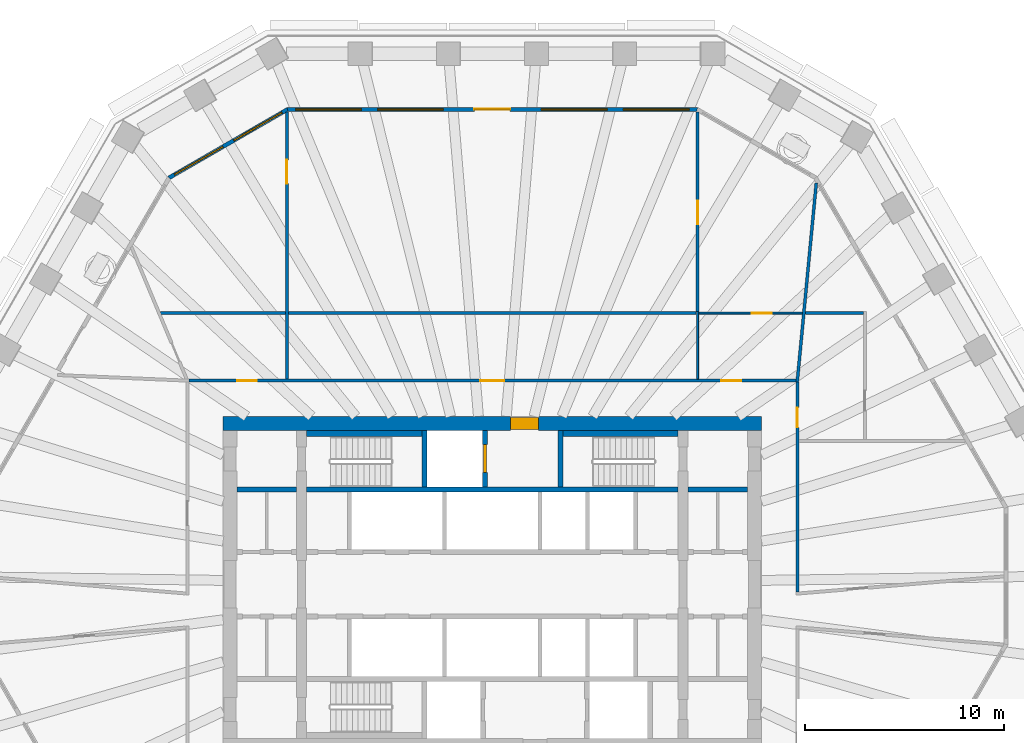
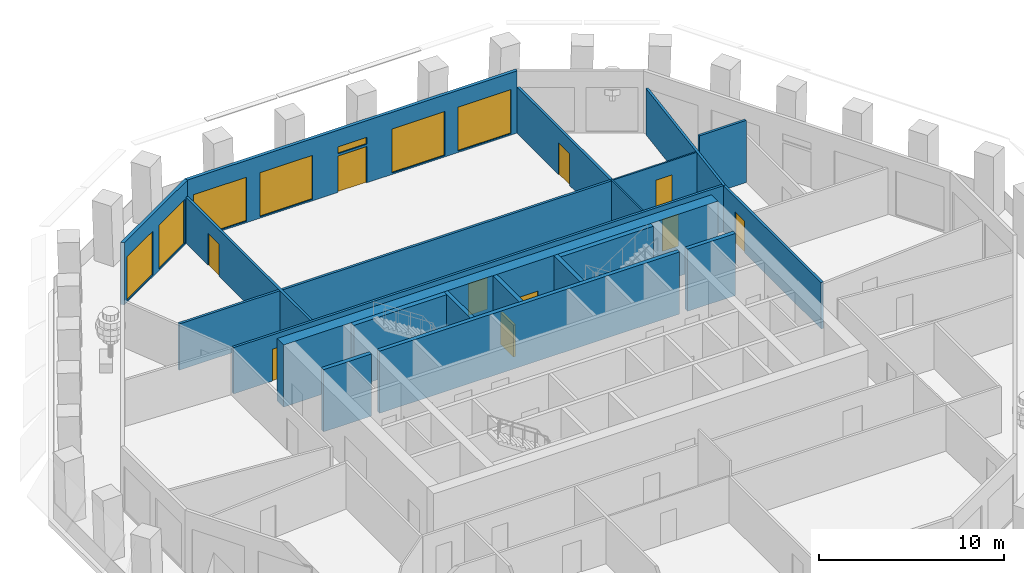
# One storey, part 7 of 12: 20 walls, 10 doors, 7 windows, 17 openings.
"""IFC4 building model written with IfcOpenShell, lengths in metres."""

from ifc_helpers import new_model, si_unit, direction, frame, frame_2d, origin, place, context, subcontext, project, spatial, polyline, rectangle, outline, extrude, material, layer, layer_set, type_object, element, fill, save


model = new_model("IFC4")

# Units and contexts
model_context = context("Model", 3, precision=1e-05, world=origin(), true_north=direction((0.0, 1.0)))
body_context = subcontext(model_context, "Body", "Model", "MODEL_VIEW")
ifc_project = project(units=[si_unit("LENGTHUNIT", "METRE"), si_unit("AREAUNIT", "SQUARE_METRE"), si_unit("VOLUMEUNIT", "CUBIC_METRE"), si_unit("PLANEANGLEUNIT", "RADIAN"), si_unit("MASSUNIT", "GRAM", prefix="KILO")], contexts=[model_context])

# Site, building, storey
site_placement = place(None, origin())
site = spatial("IfcSite", under=ifc_project, at=site_placement, CompositionType="ELEMENT")
building_placement = place(site_placement, origin())
building = spatial("IfcBuilding", under=site, at=building_placement, Name="Frailejon Research Tower", CompositionType="ELEMENT")
storey_placement = place(building_placement, frame((0.0, 0.0, 158.39990234375)))
storey = spatial("IfcBuildingStorey", under=building, at=storey_placement, Name="L34", CompositionType="ELEMENT", Elevation=158.39990234375)

# Wall, opening, door
ifc_material_1 = material(Name="Concrete C60/75", Category="concrete")
ifc_layer_1 = layer(ifc_material_1, 0.699951171875)
ifc_layer_set_1 = layer_set([ifc_layer_1], Name="Core shear wall 700 C60/75")
wall_type_1 = type_object("IfcWallType", Name="Core shear wall 700 C60/75", PredefinedType="SHEAR", material=ifc_layer_set_1)
wall_1_placement = place(storey_placement, frame((-13.550048828125, 8.10009765625, 0.0), z_axis=(0.0, 0.0, 1.0), x_axis=(1.0, 0.0, 0.0)))
wall_1 = element("IfcWall", 1, at=wall_1_placement, inside=storey, type_object=wall_type_1, Name="Core shear wall", PredefinedType="SHEAR", context=body_context, shape_type="SweptSolid", body=[
    extrude(rectangle(XDim=27.10009765625, YDim=0.699951171875, at=frame_2d((13.550048828125, 0.0))), origin(), (0.0, 0.0, 1.0), 4.10009765625),
])
opening_1_placement = place(wall_1_placement, frame((14.47509765625, 0.0, 0.0)))
opening_1 = element("IfcOpeningElement", 2, at=opening_1_placement, cuts=wall_1, Name="Opening D9", PredefinedType="OPENING", context=body_context, shape_type="SweptSolid", body=[
    extrude(rectangle(XDim=1.39990234375, YDim=2.10009765625, at=frame_2d((0.699951171875, 1.050048828125))), frame((0.0, 0.35986328125, 0.0), z_axis=(0.0, -1.0, 0.0), x_axis=(1.0, 0.0, 0.0)), (0.0, 0.0, 1.0), 0.719970703125),
])
ifc_material_2 = material(Name="Steel", Category="steel")
door_type_1 = type_object("IfcDoorType", Name="Goods lobby door", OperationType="DOUBLE_DOOR_SINGLE_SWING", PredefinedType="DOOR", material=ifc_material_2)
door_1_placement = place(opening_1_placement, origin())
door_1 = element("IfcDoor", 3, at=door_1_placement, inside=storey, type_object=door_type_1, Name="Goods lobby door", OperationType="DOUBLE_DOOR_SINGLE_SWING", OverallHeight=2.10009765625, OverallWidth=1.39990234375, PredefinedType="DOOR", context=body_context, shape_type="SweptSolid", body=[
    extrude(rectangle(XDim=1.39990234375, YDim=2.10009765625, at=frame_2d((0.699951171875, 1.050048828125))), frame((0.0, 0.300048828125, 0.0), z_axis=(0.0, -1.0, 0.0), x_axis=(1.0, 0.0, 0.0)), (0.0, 0.0, 1.0), 0.60009765625),
])
fill(opening_1, door_1)

ifc_material_3 = material(Name="Gypsum board and masonry partition", Category="masonry")
ifc_layer_2 = layer(ifc_material_3, 0.14990234375)
ifc_layer_set_2 = layer_set([ifc_layer_2], Name="Corridor wall EI 60, gypsum on steel studs 150")
wall_type_2 = type_object("IfcWallType", Name="Corridor wall EI 60, gypsum on steel studs 150", PredefinedType="PARTITIONING", material=ifc_layer_set_2)
wall_2_placement = place(storey_placement, frame((15.35009765625, -0.39208984375, 0.0), z_axis=(0.0, 0.0, 1.0), x_axis=(0.0, 1.0, 0.0)))
wall_2 = element("IfcWall", 4, at=wall_2_placement, inside=storey, type_object=wall_type_2, Name="T:IW:L34:004", PredefinedType="PARTITIONING", context=body_context, shape_type="SweptSolid", body=[
    extrude(rectangle(XDim=10.567138671875, YDim=0.14990234375, at=frame_2d((5.28369140625, 0.0))), origin(), (0.0, 0.0, 1.0), 3.050048828125),
])
opening_2_placement = place(wall_2_placement, frame((8.28759765625, 0.0, 0.0)))
opening_2 = element("IfcOpeningElement", 5, at=opening_2_placement, cuts=wall_2, Name="Opening D1735", PredefinedType="OPENING", context=body_context, shape_type="SweptSolid", body=[
    extrude(rectangle(XDim=1.0, YDim=2.10009765625, at=frame_2d((0.5, 1.050048828125))), frame((0.0, 0.0849609375, 0.0), z_axis=(0.0, -1.0, 0.0), x_axis=(1.0, 0.0, 0.0)), (0.0, 0.0, 1.0), 0.169921875),
])
ifc_material_4 = material(Name="Timber door leaf", Category="wood")
door_type_2 = type_object("IfcDoorType", Name="Door laboratory, timber, vision panel 1000", OperationType="NOTDEFINED", PredefinedType="DOOR", material=ifc_material_4)
door_2_placement = place(opening_2_placement, origin())
door_2 = element("IfcDoor", 6, at=door_2_placement, inside=storey, type_object=door_type_2, Name="D1735", OperationType="SINGLE_SWING_LEFT", OverallHeight=2.10009765625, OverallWidth=1.0, PredefinedType="DOOR", context=body_context, shape_type="SweptSolid", body=[
    extrude(rectangle(XDim=1.0, YDim=2.10009765625, at=frame_2d((0.5, 1.050048828125))), frame((0.0, 0.02490234375, 0.0), z_axis=(0.0, -1.0, 0.0), x_axis=(1.0, 0.0, 0.0)), (0.0, 0.0, 1.0), 0.050048828125),
])
fill(opening_2, door_2)

# Wall, openings, doors
wall_3_placement = place(storey_placement, frame((-15.27490234375, 10.25, 0.0), z_axis=(0.0, 0.0, 1.0), x_axis=(1.0, 0.0, 0.0)))
wall_3 = element("IfcWall", 7, at=wall_3_placement, inside=storey, type_object=wall_type_2, Name="T:IW:L34:005", PredefinedType="PARTITIONING", context=body_context, shape_type="SweptSolid", body=[
    extrude(rectangle(XDim=30.5498046875, YDim=0.14990234375, at=frame_2d((15.27490234375, 0.0))), origin(), (0.0, 0.0, 1.0), 3.050048828125),
])
opening_3_placement = place(wall_3_placement, frame((26.7890625, 0.0, 0.0)))
opening_3 = element("IfcOpeningElement", 8, at=opening_3_placement, cuts=wall_3, Name="Opening D1737", PredefinedType="OPENING", context=body_context, shape_type="SweptSolid", body=[
    extrude(rectangle(XDim=1.0, YDim=2.10009765625, at=frame_2d((0.5, 1.050048828125))), frame((0.0, 0.0849609375, 0.0), z_axis=(0.0, -1.0, 0.0), x_axis=(1.0, 0.0, 0.0)), (0.0, 0.0, 1.0), 0.169921875),
])
opening_4_placement = place(wall_3_placement, frame((14.675048828125, 0.0, 0.0)))
opening_4 = element("IfcOpeningElement", 9, at=opening_4_placement, cuts=wall_3, Name="Opening D1740", PredefinedType="OPENING", context=body_context, shape_type="SweptSolid", body=[
    extrude(rectangle(XDim=1.199951171875, YDim=2.10009765625, at=frame_2d((0.60009765625, 1.050048828125))), frame((0.0, 0.0849609375, 0.0), z_axis=(0.0, -1.0, 0.0), x_axis=(1.0, 0.0, 0.0)), (0.0, 0.0, 1.0), 0.169921875),
])
opening_5_placement = place(wall_3_placement, frame((2.429443359375, 0.0, 0.0)))
opening_5 = element("IfcOpeningElement", 10, at=opening_5_placement, cuts=wall_3, Name="Opening D1742", PredefinedType="OPENING", context=body_context, shape_type="SweptSolid", body=[
    extrude(rectangle(XDim=1.0, YDim=2.10009765625, at=frame_2d((0.5, 1.050048828125))), frame((0.0, 0.0849609375, 0.0), z_axis=(0.0, -1.0, 0.0), x_axis=(1.0, 0.0, 0.0)), (0.0, 0.0, 1.0), 0.169921875),
])
door_3_placement = place(opening_5_placement, origin())
door_3 = element("IfcDoor", 11, at=door_3_placement, inside=storey, type_object=door_type_2, Name="D1742", OperationType="SINGLE_SWING_LEFT", OverallHeight=2.10009765625, OverallWidth=1.0, PredefinedType="DOOR", context=body_context, shape_type="SweptSolid", body=[
    extrude(rectangle(XDim=1.0, YDim=2.10009765625, at=frame_2d((0.5, 1.050048828125))), frame((0.0, 0.02490234375, 0.0), z_axis=(0.0, -1.0, 0.0), x_axis=(1.0, 0.0, 0.0)), (0.0, 0.0, 1.0), 0.050048828125),
])
fill(opening_5, door_3)
ifc_material_5 = material(Name="Timber door leaf", Category="wood")
door_type_3 = type_object("IfcDoorType", Name="Door single leaf, timber, steel frame 1000", OperationType="NOTDEFINED", PredefinedType="DOOR", material=ifc_material_5)
door_4_placement = place(opening_3_placement, origin())
door_4 = element("IfcDoor", 12, at=door_4_placement, inside=storey, type_object=door_type_3, Name="D1737", OperationType="SINGLE_SWING_RIGHT", OverallHeight=2.10009765625, OverallWidth=1.0, PredefinedType="DOOR", context=body_context, shape_type="SweptSolid", body=[
    extrude(rectangle(XDim=1.0, YDim=2.10009765625, at=frame_2d((0.5, 1.050048828125))), frame((0.0, 0.02490234375, 0.0), z_axis=(0.0, -1.0, 0.0), x_axis=(1.0, 0.0, 0.0)), (0.0, 0.0, 1.0), 0.050048828125),
])
fill(opening_3, door_4)
ifc_material_6 = material(Name="Timber door leaf", Category="wood")
door_type_4 = type_object("IfcDoorType", Name="Door single leaf, timber, steel frame 1200", OperationType="NOTDEFINED", PredefinedType="DOOR", material=ifc_material_6)
door_5_placement = place(opening_4_placement, origin())
door_5 = element("IfcDoor", 13, at=door_5_placement, inside=storey, type_object=door_type_4, Name="D1740", OperationType="DOUBLE_DOOR_SINGLE_SWING", OverallHeight=2.10009765625, OverallWidth=1.199951171875, PredefinedType="DOOR", context=body_context, shape_type="SweptSolid", body=[
    extrude(rectangle(XDim=1.199951171875, YDim=2.10009765625, at=frame_2d((0.60009765625, 1.050048828125))), frame((0.0, 0.02490234375, 0.0), z_axis=(0.0, -1.0, 0.0), x_axis=(1.0, 0.0, 0.0)), (0.0, 0.0, 1.0), 0.050048828125),
])
fill(opening_4, door_5)

# Walls
ifc_material_7 = material(Name="Gypsum board and masonry partition", Category="masonry")
ifc_layer_3 = layer(ifc_material_7, 0.14990234375)
ifc_layer_set_3 = layer_set([ifc_layer_3], Name="Laboratory partition, blockwork 150")
wall_type_3 = type_object("IfcWallType", Name="Laboratory partition, blockwork 150", PredefinedType="PARTITIONING", material=ifc_layer_set_3)
wall_4_placement = place(storey_placement, frame((-16.697021484375, 13.64990234375, 0.0), z_axis=(0.0, 0.0, 1.0), x_axis=(1.0, 0.0, 0.0)))
element("IfcWall", 14, at=wall_4_placement, inside=storey, type_object=wall_type_3, Name="T:IW:L34:012", PredefinedType="PARTITIONING", context=body_context, shape_type="SweptSolid", body=[
    extrude(rectangle(XDim=26.95751953125, YDim=0.14990234375, at=frame_2d((13.478759765625, 0.0))), origin(), (0.0, 0.0, 1.0), 3.050048828125),
])
wall_5_placement = place(storey_placement, frame((15.750732421875, 13.64990234375, 0.0), z_axis=(0.0, 0.0, 1.0), x_axis=(1.0, 0.0, 0.0)))
element("IfcWall", 15, at=wall_5_placement, inside=storey, type_object=wall_type_3, Name="T:IW:L34:013", PredefinedType="PARTITIONING", context=body_context, shape_type="SweptSolid", body=[
    extrude(rectangle(XDim=2.92431640625, YDim=0.14990234375, at=frame_2d((1.462158203125, 0.0))), origin(), (0.0, 0.0, 1.0), 4.10009765625),
])
wall_6_placement = place(storey_placement, frame((15.3427734375, 10.17529296875, 0.0), z_axis=(0.0, 0.0, 1.0), x_axis=(0.095366624926, 0.995442216731, 0.0)))
element("IfcWall", 16, at=wall_6_placement, inside=storey, type_object=wall_type_3, Name="T:IW:L34:016", PredefinedType="PARTITIONING", context=body_context, shape_type="SweptSolid", body=[
    extrude(rectangle(XDim=10.0634765625, YDim=0.14990234375, at=frame_2d((5.03173828125, 0.0))), origin(), (0.0, 0.0, 1.0), 3.050048828125),
])

# Wall, opening, door
wall_7_placement = place(storey_placement, frame((10.33544921875, 13.699951171875, 0.0), z_axis=(0.0, 0.0, 1.0), x_axis=(0.0, 1.0, 0.0)))
wall_7 = element("IfcWall", 17, at=wall_7_placement, inside=storey, type_object=wall_type_3, Name="T:IW:L34:017", PredefinedType="PARTITIONING", context=body_context, shape_type="SweptSolid", body=[
    extrude(rectangle(XDim=10.069091796875, YDim=0.14990234375, at=frame_2d((5.03466796875, 0.0))), origin(), (0.0, 0.0, 1.0), 3.050048828125),
])
opening_6_placement = place(wall_7_placement, frame((4.409423828125, 0.0, 0.0)))
opening_6 = element("IfcOpeningElement", 18, at=opening_6_placement, cuts=wall_7, Name="Opening D1739", PredefinedType="OPENING", context=body_context, shape_type="SweptSolid", body=[
    extrude(rectangle(XDim=1.199951171875, YDim=2.10009765625, at=frame_2d((0.60009765625, 1.050048828125))), frame((0.0, 0.0849609375, 0.0), z_axis=(0.0, -1.0, 0.0), x_axis=(1.0, 0.0, 0.0)), (0.0, 0.0, 1.0), 0.169921875),
])
ifc_material_8 = material(Name="Timber door leaf", Category="wood")
door_type_5 = type_object("IfcDoorType", Name="Door laboratory, timber, vision panel 1200", OperationType="NOTDEFINED", PredefinedType="DOOR", material=ifc_material_8)
door_6_placement = place(opening_6_placement, origin())
door_6 = element("IfcDoor", 19, at=door_6_placement, inside=storey, type_object=door_type_5, Name="D1739", OperationType="DOUBLE_DOOR_SINGLE_SWING", OverallHeight=2.10009765625, OverallWidth=1.199951171875, PredefinedType="DOOR", context=body_context, shape_type="SweptSolid", body=[
    extrude(rectangle(XDim=1.199951171875, YDim=2.10009765625, at=frame_2d((0.60009765625, 1.050048828125))), frame((0.0, 0.02490234375, 0.0), z_axis=(0.0, -1.0, 0.0), x_axis=(1.0, 0.0, 0.0)), (0.0, 0.0, 1.0), 0.050048828125),
])
fill(opening_6, door_6)

wall_8_placement = place(storey_placement, frame((-10.33544921875, 10.324951171875, 0.0), z_axis=(0.0, 0.0, 1.0), x_axis=(0.0, 1.0, 0.0)))
wall_8 = element("IfcWall", 20, at=wall_8_placement, inside=storey, type_object=wall_type_3, Name="T:IW:L34:018", PredefinedType="PARTITIONING", context=body_context, shape_type="SweptSolid", body=[
    extrude(rectangle(XDim=13.444091796875, YDim=0.14990234375, at=frame_2d((6.72216796875, 0.0))), origin(), (0.0, 0.0, 1.0), 3.050048828125),
])
opening_7_placement = place(wall_8_placement, frame((9.83935546875, 0.0, 0.0)))
opening_7 = element("IfcOpeningElement", 21, at=opening_7_placement, cuts=wall_8, Name="Opening D1741", PredefinedType="OPENING", context=body_context, shape_type="SweptSolid", body=[
    extrude(rectangle(XDim=1.199951171875, YDim=2.10009765625, at=frame_2d((0.60009765625, 1.050048828125))), frame((0.0, 0.0849609375, 0.0), z_axis=(0.0, -1.0, 0.0), x_axis=(1.0, 0.0, 0.0)), (0.0, 0.0, 1.0), 0.169921875),
])
door_7_placement = place(opening_7_placement, origin())
door_7 = element("IfcDoor", 22, at=door_7_placement, inside=storey, type_object=door_type_5, Name="D1741", OperationType="DOUBLE_DOOR_SINGLE_SWING", OverallHeight=2.10009765625, OverallWidth=1.199951171875, PredefinedType="DOOR", context=body_context, shape_type="SweptSolid", body=[
    extrude(rectangle(XDim=1.199951171875, YDim=2.10009765625, at=frame_2d((0.60009765625, 1.050048828125))), frame((0.0, 0.02490234375, 0.0), z_axis=(0.0, -1.0, 0.0), x_axis=(1.0, 0.0, 0.0)), (0.0, 0.0, 1.0), 0.050048828125),
])
fill(opening_7, door_7)

ifc_material_9 = material(Name="Gypsum board and masonry partition", Category="masonry")
ifc_layer_4 = layer(ifc_material_9, 0.10009765625)
ifc_layer_set_4 = layer_set([ifc_layer_4], Name="Partition, gypsum on steel studs 100")
wall_type_4 = type_object("IfcWallType", Name="Partition, gypsum on steel studs 100", PredefinedType="PARTITIONING", material=ifc_layer_set_4)
wall_9_placement = place(storey_placement, frame((10.385498046875, 13.64990234375, 0.0), z_axis=(0.0, 0.0, 1.0), x_axis=(1.0, 0.0, 0.0)))
wall_9 = element("IfcWall", 23, at=wall_9_placement, inside=storey, type_object=wall_type_4, Name="T:IW:L34:030", PredefinedType="PARTITIONING", context=body_context, shape_type="SweptSolid", body=[
    extrude(rectangle(XDim=5.215087890625, YDim=0.10009765625, at=frame_2d((2.607421875, 0.0))), origin(), (0.0, 0.0, 1.0), 3.050048828125),
])
opening_8_placement = place(wall_9_placement, frame((2.666259765625, 0.0, 0.0)))
opening_8 = element("IfcOpeningElement", 24, at=opening_8_placement, cuts=wall_9, Name="Opening D1738", PredefinedType="OPENING", context=body_context, shape_type="SweptSolid", body=[
    extrude(rectangle(XDim=1.0, YDim=2.10009765625, at=frame_2d((0.5, 1.050048828125))), frame((0.0, 0.06005859375, 0.0), z_axis=(0.0, -1.0, 0.0), x_axis=(1.0, 0.0, 0.0)), (0.0, 0.0, 1.0), 0.1201171875),
])
door_8_placement = place(opening_8_placement, origin())
door_8 = element("IfcDoor", 25, at=door_8_placement, inside=storey, type_object=door_type_3, Name="D1738", OperationType="SINGLE_SWING_LEFT", OverallHeight=2.10009765625, OverallWidth=1.0, PredefinedType="DOOR", context=body_context, shape_type="SweptSolid", body=[
    extrude(rectangle(XDim=1.0, YDim=2.10009765625, at=frame_2d((0.5, 1.050048828125))), frame((0.0, 0.02490234375, 0.0), z_axis=(0.0, -1.0, 0.0), x_axis=(1.0, 0.0, 0.0)), (0.0, 0.0, 1.0), 0.050048828125),
])
fill(opening_8, door_8)

# Walls
wall_10_placement = place(storey_placement, frame((10.33544921875, 10.324951171875, 0.0), z_axis=(0.0, 0.0, 1.0), x_axis=(0.0, 1.0, 0.0)))
element("IfcWall", 26, at=wall_10_placement, inside=storey, type_object=wall_type_4, Name="T:IW:L34:031", PredefinedType="PARTITIONING", context=body_context, shape_type="SweptSolid", body=[
    extrude(rectangle(XDim=3.400146484375, YDim=0.10009765625, at=frame_2d((1.7001953125, 0.0))), origin(), (0.0, 0.0, 1.0), 3.050048828125),
])
ifc_material_10 = material(Name="Concrete C60/75", Category="concrete")
ifc_layer_5 = layer(ifc_material_10, 0.25)
ifc_layer_set_5 = layer_set([ifc_layer_5], Name="Shaft wall 250 C60/75")
wall_type_5 = type_object("IfcWallType", Name="Shaft wall 250 C60/75", PredefinedType="SOLIDWALL", material=ifc_layer_set_5)
wall_11_placement = place(storey_placement, frame((-12.85009765625, 4.77490234375, 0.0), z_axis=(0.0, 0.0, 1.0), x_axis=(1.0, 0.0, 0.0)))
element("IfcWall", 27, at=wall_11_placement, inside=storey, type_object=wall_type_5, Name="Shaft wall", PredefinedType="SOLIDWALL", context=body_context, shape_type="SweptSolid", body=[
    extrude(rectangle(XDim=3.0, YDim=0.25, at=frame_2d((1.5, 0.0))), origin(), (0.0, 0.0, 1.0), 4.10009765625),
])
wall_12_placement = place(storey_placement, frame((-9.35009765625, 4.77490234375, 0.0), z_axis=(0.0, 0.0, 1.0), x_axis=(1.0, 0.0, 0.0)))
element("IfcWall", 28, at=wall_12_placement, inside=storey, type_object=wall_type_5, Name="Shaft wall", PredefinedType="SOLIDWALL", context=body_context, shape_type="SweptSolid", body=[
    extrude(rectangle(XDim=18.7001953125, YDim=0.25, at=frame_2d((9.35009765625, 0.0))), origin(), (0.0, 0.0, 1.0), 4.10009765625),
])
wall_13_placement = place(storey_placement, frame((9.85009765625, 4.77490234375, 0.0), z_axis=(0.0, 0.0, 1.0), x_axis=(1.0, 0.0, 0.0)))
element("IfcWall", 29, at=wall_13_placement, inside=storey, type_object=wall_type_5, Name="Shaft wall", PredefinedType="SOLIDWALL", context=body_context, shape_type="SweptSolid", body=[
    extrude(rectangle(XDim=3.0, YDim=0.25, at=frame_2d((1.5, 0.0))), origin(), (0.0, 0.0, 1.0), 4.10009765625),
])
wall_14_placement = place(storey_placement, frame((-3.425048828125, 4.89990234375, 0.0), z_axis=(0.0, 0.0, 1.0), x_axis=(0.0, 1.0, 0.0)))
element("IfcWall", 30, at=wall_14_placement, inside=storey, type_object=wall_type_5, Name="Shaft wall", PredefinedType="SOLIDWALL", context=body_context, shape_type="SweptSolid", body=[
    extrude(rectangle(XDim=2.85009765625, YDim=0.25, at=frame_2d((1.425048828125, 0.0))), origin(), (0.0, 0.0, 1.0), 4.10009765625),
])

# Wall, opening, door
wall_15_placement = place(storey_placement, frame((-0.375, 4.89990234375, 0.0), z_axis=(0.0, 0.0, 1.0), x_axis=(0.0, 1.0, 0.0)))
wall_15 = element("IfcWall", 31, at=wall_15_placement, inside=storey, type_object=wall_type_5, Name="Shaft wall", PredefinedType="SOLIDWALL", context=body_context, shape_type="SweptSolid", body=[
    extrude(rectangle(XDim=2.85009765625, YDim=0.25, at=frame_2d((1.425048828125, 0.0))), origin(), (0.0, 0.0, 1.0), 4.10009765625),
])
opening_9_placement = place(wall_15_placement, frame((0.72509765625, 0.0, 0.0)))
opening_9 = element("IfcOpeningElement", 32, at=opening_9_placement, cuts=wall_15, Name="Opening LD2", PredefinedType="OPENING", context=body_context, shape_type="SweptSolid", body=[
    extrude(rectangle(XDim=1.39990234375, YDim=2.10009765625, at=frame_2d((0.699951171875, 1.050048828125))), frame((0.0, 0.135009765625, 0.0), z_axis=(0.0, -1.0, 0.0), x_axis=(1.0, 0.0, 0.0)), (0.0, 0.0, 1.0), 0.27001953125),
])
ifc_material_11 = material(Name="Stainless steel", Category="steel")
door_type_6 = type_object("IfcDoorType", Name="Goods landing door", OperationType="DOUBLE_DOOR_SLIDING", PredefinedType="DOOR", material=ifc_material_11)
door_9_placement = place(opening_9_placement, origin())
door_9 = element("IfcDoor", 33, at=door_9_placement, inside=storey, type_object=door_type_6, Name="Lift landing door", OperationType="DOUBLE_DOOR_SLIDING", OverallHeight=2.10009765625, OverallWidth=1.39990234375, PredefinedType="DOOR", context=body_context, shape_type="SweptSolid", body=[
    extrude(rectangle(XDim=1.39990234375, YDim=2.10009765625, at=frame_2d((0.699951171875, 1.050048828125))), frame((0.0, 0.074951171875, 0.0), z_axis=(0.0, -1.0, 0.0), x_axis=(1.0, 0.0, 0.0)), (0.0, 0.0, 1.0), 0.14990234375),
])
fill(opening_9, door_9)

# Walls
wall_16_placement = place(storey_placement, frame((3.425048828125, 4.89990234375, 0.0), z_axis=(0.0, 0.0, 1.0), x_axis=(0.0, 1.0, 0.0)))
element("IfcWall", 34, at=wall_16_placement, inside=storey, type_object=wall_type_5, Name="Shaft wall", PredefinedType="SOLIDWALL", context=body_context, shape_type="SweptSolid", body=[
    extrude(rectangle(XDim=2.85009765625, YDim=0.25, at=frame_2d((1.425048828125, 0.0))), origin(), (0.0, 0.0, 1.0), 4.10009765625),
])
ifc_material_12 = material(Name="Concrete C60/75", Category="concrete")
ifc_layer_6 = layer(ifc_material_12, 0.300048828125)
ifc_layer_set_6 = layer_set([ifc_layer_6], Name="Shaft wall 300 C60/75")
wall_type_6 = type_object("IfcWallType", Name="Shaft wall 300 C60/75", PredefinedType="SOLIDWALL", material=ifc_layer_set_6)
for number, where, z_axis, x_axis, name in (
    (35, (-9.35009765625, 7.60009765625, 0.0), (0.0, 0.0, 1.0), (1.0, 0.0, 0.0), "Shaft wall"),
    (36, (3.550048828125, 7.60009765625, 0.0), (0.0, 0.0, 1.0), (1.0, 0.0, 0.0), "Shaft wall"),
):
    element("IfcWall", number, at=place(storey_placement, frame(where, z_axis=z_axis, x_axis=x_axis)), inside=storey, type_object=wall_type_6, Name=name, PredefinedType="SOLIDWALL", context=body_context, shape_type="SweptSolid", body=[
        extrude(rectangle(XDim=5.800048828125, YDim=0.300048828125, at=frame_2d((2.89990234375, 0.0))), origin(), (0.0, 0.0, 1.0), 4.10009765625),
    ])

# Wall, openings, door, windows
ifc_material_13 = material(Name="Concrete C40/50 precast window wall panel", Category="concrete")
ifc_layer_7 = layer(ifc_material_13, 0.199951171875)
ifc_layer_set_7 = layer_set([ifc_layer_7], Name="Window wall 200")
wall_type_7 = type_object("IfcWallType", Name="Window wall 200", PredefinedType="SOLIDWALL", material=ifc_layer_set_7)
wall_17_placement = place(storey_placement, frame((10.30859375, 23.89990234375, 0.0), z_axis=(0.0, 0.0, 1.0), x_axis=(-1.0, 0.0, 0.0)))
wall_17 = element("IfcWall", 37, at=wall_17_placement, inside=storey, type_object=wall_type_7, Name="Exterior wall L34", PredefinedType="SOLIDWALL", context=body_context, shape_type="SweptSolid", body=[
    extrude(outline(polyline([(-0.02685546875, -0.10009765625), (1.006591796875, -0.10009765625), (2.040283203125, -0.10009765625), (3.07373046875, -0.10009765625), (4.107421875, -0.10009765625), (5.140869140625, -0.10009765625), (6.17431640625, -0.10009765625), (7.2080078125, -0.10009765625), (8.241455078125, -0.10009765625), (9.275146484375, -0.10009765625), (10.30859375, -0.10009765625), (11.342041015625, -0.10009765625), (12.375732421875, -0.10009765625), (13.4091796875, -0.10009765625), (14.44287109375, -0.10009765625), (15.476318359375, -0.10009765625), (16.509765625, -0.10009765625), (17.54345703125, -0.10009765625), (18.576904296875, -0.10009765625), (19.610595703125, -0.10009765625), (20.64404296875, -0.10009765625), (20.59033203125, 0.10009765625), (19.562255859375, 0.10009765625), (18.533935546875, 0.10009765625), (17.505859375, 0.10009765625), (16.4775390625, 0.10009765625), (15.449462890625, 0.10009765625), (14.42138671875, 0.10009765625), (13.39306640625, 0.10009765625), (12.364990234375, 0.10009765625), (11.336669921875, 0.10009765625), (10.30859375, 0.10009765625), (9.280517578125, 0.10009765625), (8.252197265625, 0.10009765625), (7.22412109375, 0.10009765625), (6.19580078125, 0.10009765625), (5.167724609375, 0.10009765625), (4.1396484375, 0.10009765625), (3.111328125, 0.10009765625), (2.083251953125, 0.10009765625), (1.054931640625, 0.10009765625), (0.02685546875, 0.10009765625), (-0.02685546875, -0.10009765625)])), origin(), (0.0, 0.0, 1.0), 4.10009765625),
])
opening_10_placement = place(wall_17_placement, frame((0.41162109375, 0.0, 0.10009765625)))
opening_10 = element("IfcOpeningElement", 38, at=opening_10_placement, cuts=wall_17, Name="Opening W5", PredefinedType="OPENING", context=body_context, shape_type="SweptSolid", body=[
    extrude(rectangle(XDim=3.300048828125, YDim=2.89990234375, at=frame_2d((1.64990234375, 1.449951171875))), frame((0.0, 0.10986328125, 0.0), z_axis=(0.0, -1.0, 0.0), x_axis=(1.0, 0.0, 0.0)), (0.0, 0.0, 1.0), 0.219970703125),
])
opening_11_placement = place(wall_17_placement, frame((4.53515625, 0.0, 0.10009765625)))
opening_11 = element("IfcOpeningElement", 39, at=opening_11_placement, cuts=wall_17, Name="Opening W5", PredefinedType="OPENING", context=body_context, shape_type="SweptSolid", body=[
    extrude(rectangle(XDim=3.300048828125, YDim=2.89990234375, at=frame_2d((1.64990234375, 1.449951171875))), frame((0.0, 0.10986328125, 0.0), z_axis=(0.0, -1.0, 0.0), x_axis=(1.0, 0.0, 0.0)), (0.0, 0.0, 1.0), 0.219970703125),
])
opening_12_placement = place(wall_17_placement, frame((9.40869140625, 0.0, 0.0)))
opening_12 = element("IfcOpeningElement", 40, at=opening_12_placement, cuts=wall_17, Name="Opening LG34-2", PredefinedType="OPENING", context=body_context, shape_type="SweptSolid", body=[
    extrude(rectangle(XDim=1.800048828125, YDim=2.39990234375, at=frame_2d((0.89990234375, 1.199951171875))), frame((0.0, 0.10986328125, 0.0), z_axis=(0.0, -1.0, 0.0), x_axis=(1.0, 0.0, 0.0)), (0.0, 0.0, 1.0), 0.219970703125),
])
opening_13_placement = place(wall_17_placement, frame((9.40869140625, 0.0, 2.550048828125)))
opening_13 = element("IfcOpeningElement", 41, at=opening_13_placement, cuts=wall_17, Name="Opening W1", PredefinedType="OPENING", context=body_context, shape_type="SweptSolid", body=[
    extrude(rectangle(XDim=1.800048828125, YDim=0.449951171875, at=frame_2d((0.89990234375, 0.22509765625))), frame((0.0, 0.10986328125, 0.0), z_axis=(0.0, -1.0, 0.0), x_axis=(1.0, 0.0, 0.0)), (0.0, 0.0, 1.0), 0.219970703125),
])
opening_14_placement = place(wall_17_placement, frame((12.781982421875, 0.0, 0.10009765625)))
opening_14 = element("IfcOpeningElement", 42, at=opening_14_placement, cuts=wall_17, Name="Opening W5", PredefinedType="OPENING", context=body_context, shape_type="SweptSolid", body=[
    extrude(rectangle(XDim=3.300048828125, YDim=2.89990234375, at=frame_2d((1.64990234375, 1.449951171875))), frame((0.0, 0.10986328125, 0.0), z_axis=(0.0, -1.0, 0.0), x_axis=(1.0, 0.0, 0.0)), (0.0, 0.0, 1.0), 0.219970703125),
])
opening_15_placement = place(wall_17_placement, frame((16.905517578125, 0.0, 0.10009765625)))
opening_15 = element("IfcOpeningElement", 43, at=opening_15_placement, cuts=wall_17, Name="Opening W5", PredefinedType="OPENING", context=body_context, shape_type="SweptSolid", body=[
    extrude(rectangle(XDim=3.300048828125, YDim=2.89990234375, at=frame_2d((1.64990234375, 1.449951171875))), frame((0.0, 0.10986328125, 0.0), z_axis=(0.0, -1.0, 0.0), x_axis=(1.0, 0.0, 0.0)), (0.0, 0.0, 1.0), 0.219970703125),
])
ifc_material_14 = material(Name="Aluminium framed glazed door leaf", Category="aluminium")
door_type_7 = type_object("IfcDoorType", Name="Loggia door 1800x2400", OperationType="DOUBLE_DOOR_SINGLE_SWING", PredefinedType="DOOR", material=ifc_material_14)
door_10_placement = place(opening_12_placement, origin())
door_10 = element("IfcDoor", 44, at=door_10_placement, inside=storey, type_object=door_type_7, Name="Door LG34-2", OperationType="DOUBLE_DOOR_SINGLE_SWING", OverallHeight=2.39990234375, OverallWidth=1.800048828125, PredefinedType="DOOR", context=body_context, shape_type="SweptSolid", body=[
    extrude(rectangle(XDim=1.800048828125, YDim=2.39990234375, at=frame_2d((0.89990234375, 1.199951171875))), frame((0.0, 0.02490234375, 0.0), z_axis=(0.0, -1.0, 0.0), x_axis=(1.0, 0.0, 0.0)), (0.0, 0.0, 1.0), 0.050048828125),
])
fill(opening_12, door_10)
ifc_material_15 = material(Name="Aluminium framed double glazing", Category="aluminium")
window_type_1 = type_object("IfcWindowType", Name="Window 1800x450", PartitioningType="SINGLE_PANEL", PredefinedType="WINDOW", material=ifc_material_15)
window_1_placement = place(opening_13_placement, origin())
window_1 = element("IfcWindow", 45, at=window_1_placement, inside=storey, type_object=window_type_1, Name="Window L34", OverallHeight=0.449951171875, OverallWidth=1.800048828125, PartitioningType="SINGLE_PANEL", PredefinedType="WINDOW", context=body_context, shape_type="SweptSolid", body=[
    extrude(rectangle(XDim=1.800048828125, YDim=0.449951171875, at=frame_2d((0.89990234375, 0.22509765625))), frame((0.0, 0.030029296875, 0.0), z_axis=(0.0, -1.0, 0.0), x_axis=(1.0, 0.0, 0.0)), (0.0, 0.0, 1.0), 0.06005859375),
])
fill(opening_13, window_1)
ifc_material_16 = material(Name="Aluminium framed double glazing", Category="aluminium")
window_type_2 = type_object("IfcWindowType", Name="Window 3300x2900", PartitioningType="SINGLE_PANEL", PredefinedType="WINDOW", material=ifc_material_16)
window_2_placement = place(opening_10_placement, origin())
window_2 = element("IfcWindow", 46, at=window_2_placement, inside=storey, type_object=window_type_2, Name="Window L34", OverallHeight=2.89990234375, OverallWidth=3.300048828125, PartitioningType="SINGLE_PANEL", PredefinedType="WINDOW", context=body_context, shape_type="SweptSolid", body=[
    extrude(rectangle(XDim=3.300048828125, YDim=2.89990234375, at=frame_2d((1.64990234375, 1.449951171875))), frame((0.0, 0.030029296875, 0.0), z_axis=(0.0, -1.0, 0.0), x_axis=(1.0, 0.0, 0.0)), (0.0, 0.0, 1.0), 0.06005859375),
])
fill(opening_10, window_2)
window_3_placement = place(opening_11_placement, origin())
window_3 = element("IfcWindow", 47, at=window_3_placement, inside=storey, type_object=window_type_2, Name="Window L34", OverallHeight=2.89990234375, OverallWidth=3.300048828125, PartitioningType="SINGLE_PANEL", PredefinedType="WINDOW", context=body_context, shape_type="SweptSolid", body=[
    extrude(rectangle(XDim=3.300048828125, YDim=2.89990234375, at=frame_2d((1.64990234375, 1.449951171875))), frame((0.0, 0.030029296875, 0.0), z_axis=(0.0, -1.0, 0.0), x_axis=(1.0, 0.0, 0.0)), (0.0, 0.0, 1.0), 0.06005859375),
])
fill(opening_11, window_3)
window_4_placement = place(opening_14_placement, origin())
window_4 = element("IfcWindow", 48, at=window_4_placement, inside=storey, type_object=window_type_2, Name="Window L34", OverallHeight=2.89990234375, OverallWidth=3.300048828125, PartitioningType="SINGLE_PANEL", PredefinedType="WINDOW", context=body_context, shape_type="SweptSolid", body=[
    extrude(rectangle(XDim=3.300048828125, YDim=2.89990234375, at=frame_2d((1.64990234375, 1.449951171875))), frame((0.0, 0.030029296875, 0.0), z_axis=(0.0, -1.0, 0.0), x_axis=(1.0, 0.0, 0.0)), (0.0, 0.0, 1.0), 0.06005859375),
])
fill(opening_14, window_4)
window_5_placement = place(opening_15_placement, origin())
window_5 = element("IfcWindow", 49, at=window_5_placement, inside=storey, type_object=window_type_2, Name="Window L34", OverallHeight=2.89990234375, OverallWidth=3.300048828125, PartitioningType="SINGLE_PANEL", PredefinedType="WINDOW", context=body_context, shape_type="SweptSolid", body=[
    extrude(rectangle(XDim=3.300048828125, YDim=2.89990234375, at=frame_2d((1.64990234375, 1.449951171875))), frame((0.0, 0.030029296875, 0.0), z_axis=(0.0, -1.0, 0.0), x_axis=(1.0, 0.0, 0.0)), (0.0, 0.0, 1.0), 0.06005859375),
])
fill(opening_15, window_5)

# Wall, openings, windows
wall_18_placement = place(storey_placement, frame((-10.30859375, 23.89990234375, 0.0), z_axis=(0.0, 0.0, 1.0), x_axis=(-0.866029458321, -0.49999297727, 0.0)))
wall_18 = element("IfcWall", 50, at=wall_18_placement, inside=storey, type_object=wall_type_7, Name="Exterior wall L34", PredefinedType="SOLIDWALL", context=body_context, shape_type="SweptSolid", body=[
    extrude(outline(polyline([(-0.02685546875, -0.10009765625), (1.1279296875, -0.10009765625), (2.282470703125, -0.10009765625), (3.437255859375, -0.10009765625), (4.592041015625, -0.10009765625), (5.74658203125, -0.10009765625), (6.9013671875, -0.10009765625), (6.84765625, 0.10009765625), (5.7109375, 0.10009765625), (4.573974609375, 0.10009765625), (3.437255859375, 0.10009765625), (2.300537109375, 0.10009765625), (1.16357421875, 0.10009765625), (0.02685546875, 0.10009765625), (-0.02685546875, -0.10009765625)])), origin(), (0.0, 0.0, 1.0), 4.10009765625),
])
opening_16_placement = place(wall_18_placement, frame((0.318603515625, 0.0, 0.10009765625)))
opening_16 = element("IfcOpeningElement", 51, at=opening_16_placement, cuts=wall_18, Name="Opening W3", PredefinedType="OPENING", context=body_context, shape_type="SweptSolid", body=[
    extrude(rectangle(XDim=2.800048828125, YDim=2.89990234375, at=frame_2d((1.39990234375, 1.449951171875))), frame((0.0, 0.10986328125, 0.0), z_axis=(0.0, -1.0, 0.0), x_axis=(1.0, 0.0, 0.0)), (0.0, 0.0, 1.0), 0.219970703125),
])
opening_17_placement = place(wall_18_placement, frame((3.756103515625, 0.0, 0.10009765625)))
opening_17 = element("IfcOpeningElement", 52, at=opening_17_placement, cuts=wall_18, Name="Opening W3", PredefinedType="OPENING", context=body_context, shape_type="SweptSolid", body=[
    extrude(rectangle(XDim=2.800048828125, YDim=2.89990234375, at=frame_2d((1.39990234375, 1.449951171875))), frame((0.0, 0.10986328125, 0.0), z_axis=(0.0, -1.0, 0.0), x_axis=(1.0, 0.0, 0.0)), (0.0, 0.0, 1.0), 0.219970703125),
])
ifc_material_17 = material(Name="Aluminium framed double glazing", Category="aluminium")
window_type_3 = type_object("IfcWindowType", Name="Window 2800x2900", PartitioningType="SINGLE_PANEL", PredefinedType="WINDOW", material=ifc_material_17)
window_6_placement = place(opening_16_placement, origin())
window_6 = element("IfcWindow", 53, at=window_6_placement, inside=storey, type_object=window_type_3, Name="Window L34", OverallHeight=2.89990234375, OverallWidth=2.800048828125, PartitioningType="SINGLE_PANEL", PredefinedType="WINDOW", context=body_context, shape_type="SweptSolid", body=[
    extrude(rectangle(XDim=2.800048828125, YDim=2.89990234375, at=frame_2d((1.39990234375, 1.449951171875))), frame((0.0, 0.030029296875, 0.0), z_axis=(0.0, -1.0, 0.0), x_axis=(1.0, 0.0, 0.0)), (0.0, 0.0, 1.0), 0.06005859375),
])
fill(opening_16, window_6)
window_7_placement = place(opening_17_placement, origin())
window_7 = element("IfcWindow", 54, at=window_7_placement, inside=storey, type_object=window_type_3, Name="Window L34", OverallHeight=2.89990234375, OverallWidth=2.800048828125, PartitioningType="SINGLE_PANEL", PredefinedType="WINDOW", context=body_context, shape_type="SweptSolid", body=[
    extrude(rectangle(XDim=2.800048828125, YDim=2.89990234375, at=frame_2d((1.39990234375, 1.449951171875))), frame((0.0, 0.030029296875, 0.0), z_axis=(0.0, -1.0, 0.0), x_axis=(1.0, 0.0, 0.0)), (0.0, 0.0, 1.0), 0.06005859375),
])
fill(opening_17, window_7)

save(model, "model.ifc")
